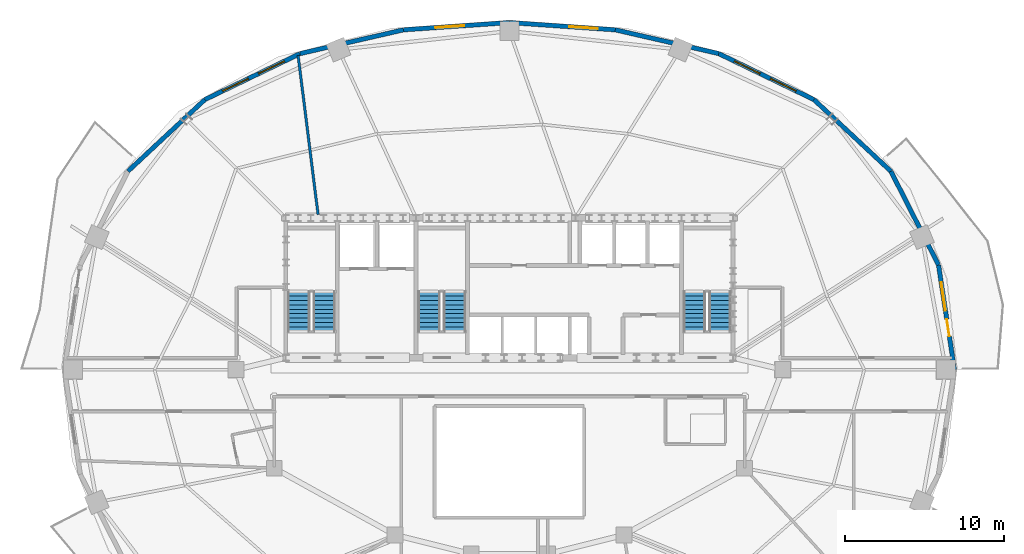
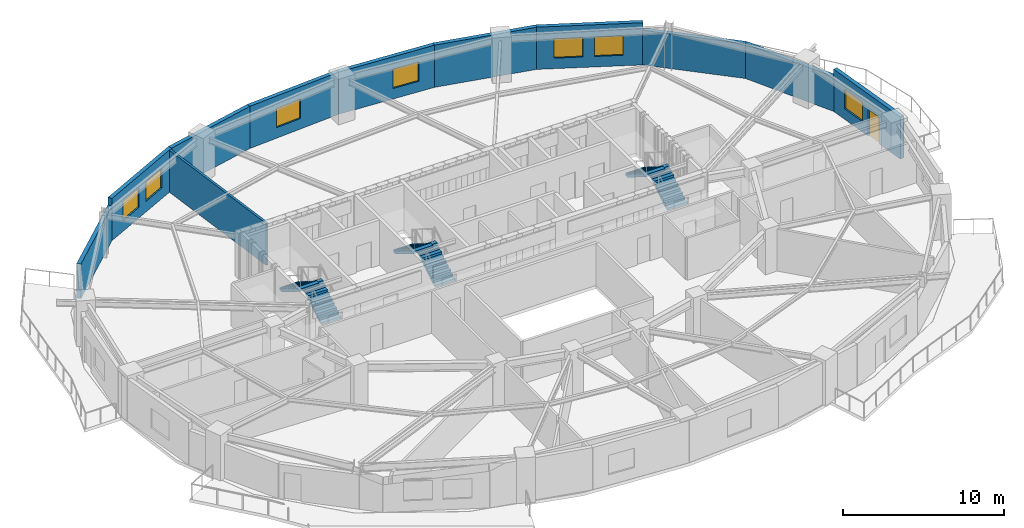
# One storey, part 6 of 11: 11 walls, 7 windows, 6 stair flights, 1 door, 8 openings, 3 elements without a shape of their own.
"""IFC4 building model written with IfcOpenShell, lengths in metres."""

from ifc_helpers import new_model, si_unit, direction, frame, frame_2d, origin, place, context, subcontext, project, spatial, polyline, rectangle, outline, extrude, material, layer, layer_set, type_object, element, fill, aggregate, save


model = new_model("IFC4")

# Units and contexts
model_context = context("Model", 3, precision=1e-05, world=origin(), true_north=direction((0.0, 1.0)))
body_context = subcontext(model_context, "Body", "Model", "MODEL_VIEW")
ifc_project = project(units=[si_unit("LENGTHUNIT", "METRE"), si_unit("AREAUNIT", "SQUARE_METRE"), si_unit("VOLUMEUNIT", "CUBIC_METRE"), si_unit("PLANEANGLEUNIT", "RADIAN"), si_unit("MASSUNIT", "GRAM", prefix="KILO")], contexts=[model_context])

# Site, building, storey
site_placement = place(None, origin())
site = spatial("IfcSite", under=ifc_project, at=site_placement, CompositionType="ELEMENT")
building_placement = place(site_placement, origin())
building = spatial("IfcBuilding", under=site, at=building_placement, Name="Haldorwick Loom Tower", CompositionType="ELEMENT")
storey_placement = place(building_placement, frame((0.0, 0.0, 204.85009765625)))
storey = spatial("IfcBuildingStorey", under=building, at=storey_placement, Name="L55", CompositionType="ELEMENT", Elevation=204.85009765625)

# Wall, openings, door, window
ifc_material_1 = material(Name="Pressed Clay Face Brick and Insulated Masonry Backup Assembly", Category="masonry")
ifc_layer_1 = layer(ifc_material_1, 0.280029296875, Name="Pressed Clay Face Brick and Insulated Masonry Backup Assembly", Category="masonry")
ifc_layer_set_1 = layer_set([ifc_layer_1], Name="Pressed Clay Face Brick and Insulated Masonry Backup Assembly")
wall_type_1 = type_object("IfcWallType", Name="ARC-WL-EXT280", PredefinedType="STANDARD", material=ifc_layer_set_1)
wall_1_placement = place(storey_placement, frame((64.00634765625, 26.0, 0.0), z_axis=(0.0, 0.0, 1.0), x_axis=(-0.150467697578, 0.988614926038, 0.0)))
wall_1 = element("IfcWall", 1, at=wall_1_placement, inside=storey, type_object=wall_type_1, Name="L55 Brick Pier and Spandrel Wall 1", PredefinedType="STANDARD", context=body_context, shape_type="SweptSolid", body=[
    extrude(rectangle(XDim=6.66064453125, YDim=0.280029296875, at=frame_2d((3.330322265625, 0.0))), origin(), (0.0, 0.0, 1.0), 3.2099609375),
])
opening_1_placement = place(wall_1_placement, frame((2.1328125, 0.0, 0.0)))
opening_1 = element("IfcOpeningElement", 2, at=opening_1_placement, cuts=wall_1, Name="Opening D-BL11", PredefinedType="OPENING", context=body_context, shape_type="SweptSolid", body=[
    extrude(rectangle(XDim=1.080078125, YDim=2.0400390625, at=frame_2d((0.5400390625, 1.02001953125))), frame((0.0, 0.14990234375, 0.0), z_axis=(0.0, -1.0, 0.0), x_axis=(1.0, 0.0, 0.0)), (0.0, 0.0, 1.0), 0.300048828125),
])
opening_2_placement = place(wall_1_placement, frame((3.762451171875, 0.0, 0.800048828125)))
opening_2 = element("IfcOpeningElement", 3, at=opening_2_placement, cuts=wall_1, Name="Opening W-01", PredefinedType="OPENING", context=body_context, shape_type="SweptSolid", body=[
    extrude(rectangle(XDim=1.800048828125, YDim=1.47998046875, at=frame_2d((0.89990234375, 0.739990234375))), frame((0.0, 0.14990234375, 0.0), z_axis=(0.0, -1.0, 0.0), x_axis=(1.0, 0.0, 0.0)), (0.0, 0.0, 1.0), 0.300048828125),
])
ifc_material_2 = material(Name="Thermally Broken Anodized Aluminium Curtain Wall Framing", Category="aluminium")
door_type = type_object("IfcDoorType", Name="ARC-DR-BAL110", OperationType="NOTDEFINED", PredefinedType="DOOR", material=ifc_material_2)
door_placement = place(opening_1_placement, origin())
door = element("IfcDoor", 4, at=door_placement, inside=storey, type_object=door_type, Name="L55 Outdoor Terrace Door SLB-L55-BAL_ENE", OperationType="SINGLE_SWING_RIGHT", OverallHeight=2.0400390625, OverallWidth=1.080078125, PredefinedType="DOOR", context=body_context, shape_type="SweptSolid", body=[
    extrude(rectangle(XDim=1.080078125, YDim=2.0400390625, at=frame_2d((0.5400390625, 1.02001953125))), frame((0.0, 0.02490234375, 0.0), z_axis=(0.0, -1.0, 0.0), x_axis=(1.0, 0.0, 0.0)), (0.0, 0.0, 1.0), 0.050048828125),
])
fill(opening_1, door)
ifc_material_3 = material(Name="Triple-Glazed Low-E Argon Insulated Glazing Unit", Category="glass")
window_type = type_object("IfcWindowType", Name="ARC-WIN-W180", PartitioningType="SINGLE_PANEL", PredefinedType="WINDOW", material=ifc_material_3)
window_1_placement = place(opening_2_placement, origin())
window_1 = element("IfcWindow", 5, at=window_1_placement, inside=storey, type_object=window_type, Name="L55 Deep-Set Zone 7A Window 1", OverallHeight=1.47998046875, OverallWidth=1.800048828125, PartitioningType="SINGLE_PANEL", PredefinedType="WINDOW", context=body_context, shape_type="SweptSolid", body=[
    extrude(rectangle(XDim=1.800048828125, YDim=1.47998046875, at=frame_2d((0.89990234375, 0.739990234375))), frame((0.0, 0.030029296875, 0.0), z_axis=(0.0, -1.0, 0.0), x_axis=(1.0, 0.0, 0.0)), (0.0, 0.0, 1.0), 0.06005859375),
])
fill(opening_2, window_1)

# Walls
wall_2_placement = place(storey_placement, frame((63.004150390625, 32.584716796875, 0.0), z_axis=(0.0, 0.0, 1.0), x_axis=(-0.453032066879, 0.89149422117, 0.0)))
element("IfcWall", 6, at=wall_2_placement, inside=storey, type_object=wall_type_1, Name="L55 Brick Pier and Spandrel Wall 2", PredefinedType="STANDARD", context=body_context, shape_type="SweptSolid", body=[
    extrude(rectangle(XDim=6.618896484375, YDim=0.280029296875, at=frame_2d((3.3095703125, 0.0))), origin(), (0.0, 0.0, 1.0), 2.640869140625),
])
wall_3_placement = place(storey_placement, frame((60.005615234375, 38.4853515625, 0.0), z_axis=(0.0, 0.0, 1.0), x_axis=(-0.731833707499, 0.681483253329, 0.0)))
element("IfcWall", 7, at=wall_3_placement, inside=storey, type_object=wall_type_1, Name="L55 Brick Pier and Spandrel Wall 3", PredefinedType="STANDARD", context=body_context, shape_type="SweptSolid", body=[
    extrude(rectangle(XDim=6.61865234375, YDim=0.280029296875, at=frame_2d((3.309326171875, 0.0))), origin(), (0.0, 0.0, 1.0), 2.640869140625),
])

# Wall, openings, windows
wall_4_placement = place(storey_placement, frame((55.161865234375, 42.995849609375, 0.0), z_axis=(0.0, 0.0, 1.0), x_axis=(-0.900371236029, 0.435122554381, 0.0)))
wall_4 = element("IfcWall", 8, at=wall_4_placement, inside=storey, type_object=wall_type_1, Name="L55 Brick Pier and Spandrel Wall 4", PredefinedType="STANDARD", context=body_context, shape_type="SweptSolid", body=[
    extrude(rectangle(XDim=6.6533203125, YDim=0.280029296875, at=frame_2d((3.32666015625, 0.0))), origin(), (0.0, 0.0, 1.0), 3.2099609375),
])
opening_3_placement = place(wall_4_placement, frame((1.234375, 0.0, 0.800048828125)))
opening_3 = element("IfcOpeningElement", 9, at=opening_3_placement, cuts=wall_4, Name="Opening W-01", PredefinedType="OPENING", context=body_context, shape_type="SweptSolid", body=[
    extrude(rectangle(XDim=1.800048828125, YDim=1.47998046875, at=frame_2d((0.89990234375, 0.739990234375))), frame((0.0, 0.14990234375, 0.0), z_axis=(0.0, -1.0, 0.0), x_axis=(1.0, 0.0, 0.0)), (0.0, 0.0, 1.0), 0.300048828125),
])
opening_4_placement = place(wall_4_placement, frame((3.75732421875, 0.0, 0.800048828125)))
opening_4 = element("IfcOpeningElement", 10, at=opening_4_placement, cuts=wall_4, Name="Opening W-01", PredefinedType="OPENING", context=body_context, shape_type="SweptSolid", body=[
    extrude(rectangle(XDim=1.800048828125, YDim=1.47998046875, at=frame_2d((0.89990234375, 0.739990234375))), frame((0.0, 0.14990234375, 0.0), z_axis=(0.0, -1.0, 0.0), x_axis=(1.0, 0.0, 0.0)), (0.0, 0.0, 1.0), 0.300048828125),
])
window_2_placement = place(opening_3_placement, origin())
window_2 = element("IfcWindow", 11, at=window_2_placement, inside=storey, type_object=window_type, Name="L55 Deep-Set Zone 7A Window 4", OverallHeight=1.47998046875, OverallWidth=1.800048828125, PartitioningType="SINGLE_PANEL", PredefinedType="WINDOW", context=body_context, shape_type="SweptSolid", body=[
    extrude(rectangle(XDim=1.800048828125, YDim=1.47998046875, at=frame_2d((0.89990234375, 0.739990234375))), frame((0.0, 0.030029296875, 0.0), z_axis=(0.0, -1.0, 0.0), x_axis=(1.0, 0.0, 0.0)), (0.0, 0.0, 1.0), 0.06005859375),
])
fill(opening_3, window_2)
window_3_placement = place(opening_4_placement, origin())
window_3 = element("IfcWindow", 12, at=window_3_placement, inside=storey, type_object=window_type, Name="L55 Deep-Set Zone 7A Window 4", OverallHeight=1.47998046875, OverallWidth=1.800048828125, PartitioningType="SINGLE_PANEL", PredefinedType="WINDOW", context=body_context, shape_type="SweptSolid", body=[
    extrude(rectangle(XDim=1.800048828125, YDim=1.47998046875, at=frame_2d((0.89990234375, 0.739990234375))), frame((0.0, 0.030029296875, 0.0), z_axis=(0.0, -1.0, 0.0), x_axis=(1.0, 0.0, 0.0)), (0.0, 0.0, 1.0), 0.06005859375),
])
fill(opening_4, window_3)

# Wall
wall_5_placement = place(storey_placement, frame((49.17138671875, 45.890869140625, 0.0), z_axis=(0.0, 0.0, 1.0), x_axis=(-0.974557343474, 0.224138315065, 0.0)))
element("IfcWall", 13, at=wall_5_placement, inside=storey, type_object=wall_type_1, Name="L55 Brick Pier and Spandrel Wall 5", PredefinedType="STANDARD", context=body_context, shape_type="SweptSolid", body=[
    extrude(rectangle(XDim=6.676025390625, YDim=0.280029296875, at=frame_2d((3.337890625, 0.0))), origin(), (0.0, 0.0, 1.0), 3.2099609375),
])

# Wall, opening, window
wall_6_placement = place(storey_placement, frame((42.665283203125, 47.38720703125, 0.0), z_axis=(0.0, 0.0, 1.0), x_axis=(-0.99764992135, 0.068517402386, 0.0)))
wall_6 = element("IfcWall", 14, at=wall_6_placement, inside=storey, type_object=wall_type_1, Name="L55 Brick Pier and Spandrel Wall 6", PredefinedType="STANDARD", context=body_context, shape_type="SweptSolid", body=[
    extrude(rectangle(XDim=6.680908203125, YDim=0.280029296875, at=frame_2d((3.34033203125, 0.0))), origin(), (0.0, 0.0, 1.0), 3.2099609375),
])
opening_5_placement = place(wall_6_placement, frame((1.104248046875, 0.0, 0.800048828125)))
opening_5 = element("IfcOpeningElement", 15, at=opening_5_placement, cuts=wall_6, Name="Opening W-01", PredefinedType="OPENING", context=body_context, shape_type="SweptSolid", body=[
    extrude(rectangle(XDim=1.800048828125, YDim=1.47998046875, at=frame_2d((0.89990234375, 0.739990234375))), frame((0.0, 0.14990234375, 0.0), z_axis=(0.0, -1.0, 0.0), x_axis=(1.0, 0.0, 0.0)), (0.0, 0.0, 1.0), 0.300048828125),
])
window_4_placement = place(opening_5_placement, origin())
window_4 = element("IfcWindow", 16, at=window_4_placement, inside=storey, type_object=window_type, Name="L55 Deep-Set Zone 7A Window 6", OverallHeight=1.47998046875, OverallWidth=1.800048828125, PartitioningType="SINGLE_PANEL", PredefinedType="WINDOW", context=body_context, shape_type="SweptSolid", body=[
    extrude(rectangle(XDim=1.800048828125, YDim=1.47998046875, at=frame_2d((0.89990234375, 0.739990234375))), frame((0.0, 0.030029296875, 0.0), z_axis=(0.0, -1.0, 0.0), x_axis=(1.0, 0.0, 0.0)), (0.0, 0.0, 1.0), 0.06005859375),
])
fill(opening_5, window_4)

wall_7_placement = place(storey_placement, frame((36.0, 47.844970703125, 0.0), z_axis=(0.0, 0.0, 1.0), x_axis=(-0.99764992135, -0.068517402386, 0.0)))
wall_7 = element("IfcWall", 17, at=wall_7_placement, inside=storey, type_object=wall_type_1, Name="L55 Brick Pier and Spandrel Wall 7", PredefinedType="STANDARD", context=body_context, shape_type="SweptSolid", body=[
    extrude(rectangle(XDim=6.680908203125, YDim=0.280029296875, at=frame_2d((3.34033203125, 0.0))), origin(), (0.0, 0.0, 1.0), 3.2099609375),
])
opening_6_placement = place(wall_7_placement, frame((2.860595703125, 0.0, 0.800048828125)))
opening_6 = element("IfcOpeningElement", 18, at=opening_6_placement, cuts=wall_7, Name="Opening W-01", PredefinedType="OPENING", context=body_context, shape_type="SweptSolid", body=[
    extrude(rectangle(XDim=1.800048828125, YDim=1.47998046875, at=frame_2d((0.89990234375, 0.739990234375))), frame((0.0, 0.14990234375, 0.0), z_axis=(0.0, -1.0, 0.0), x_axis=(1.0, 0.0, 0.0)), (0.0, 0.0, 1.0), 0.300048828125),
])
window_5_placement = place(opening_6_placement, origin())
window_5 = element("IfcWindow", 19, at=window_5_placement, inside=storey, type_object=window_type, Name="L55 Deep-Set Zone 7A Window 7", OverallHeight=1.47998046875, OverallWidth=1.800048828125, PartitioningType="SINGLE_PANEL", PredefinedType="WINDOW", context=body_context, shape_type="SweptSolid", body=[
    extrude(rectangle(XDim=1.800048828125, YDim=1.47998046875, at=frame_2d((0.89990234375, 0.739990234375))), frame((0.0, 0.030029296875, 0.0), z_axis=(0.0, -1.0, 0.0), x_axis=(1.0, 0.0, 0.0)), (0.0, 0.0, 1.0), 0.06005859375),
])
fill(opening_6, window_5)

# Wall
wall_8_placement = place(storey_placement, frame((29.334716796875, 47.38720703125, 0.0), z_axis=(0.0, 0.0, 1.0), x_axis=(-0.974557343474, -0.224138315065, 0.0)))
element("IfcWall", 20, at=wall_8_placement, inside=storey, type_object=wall_type_1, Name="L55 Brick Pier and Spandrel Wall 8", PredefinedType="STANDARD", context=body_context, shape_type="SweptSolid", body=[
    extrude(rectangle(XDim=6.676025390625, YDim=0.280029296875, at=frame_2d((3.337890625, 0.0))), origin(), (0.0, 0.0, 1.0), 3.2099609375),
])

# Wall, openings, windows
wall_9_placement = place(storey_placement, frame((22.82861328125, 45.890869140625, 0.0), z_axis=(0.0, 0.0, 1.0), x_axis=(-0.900371236029, -0.435122554381, 0.0)))
wall_9 = element("IfcWall", 21, at=wall_9_placement, inside=storey, type_object=wall_type_1, Name="L55 Brick Pier and Spandrel Wall 9", PredefinedType="STANDARD", context=body_context, shape_type="SweptSolid", body=[
    extrude(rectangle(XDim=6.6533203125, YDim=0.280029296875, at=frame_2d((3.32666015625, 0.0))), origin(), (0.0, 0.0, 1.0), 3.2099609375),
])
opening_7_placement = place(wall_9_placement, frame((1.095947265625, 0.0, 0.800048828125)))
opening_7 = element("IfcOpeningElement", 22, at=opening_7_placement, cuts=wall_9, Name="Opening W-01", PredefinedType="OPENING", context=body_context, shape_type="SweptSolid", body=[
    extrude(rectangle(XDim=1.800048828125, YDim=1.47998046875, at=frame_2d((0.89990234375, 0.739990234375))), frame((0.0, 0.14990234375, 0.0), z_axis=(0.0, -1.0, 0.0), x_axis=(1.0, 0.0, 0.0)), (0.0, 0.0, 1.0), 0.300048828125),
])
opening_8_placement = place(wall_9_placement, frame((3.618896484375, 0.0, 0.800048828125)))
opening_8 = element("IfcOpeningElement", 23, at=opening_8_placement, cuts=wall_9, Name="Opening W-01", PredefinedType="OPENING", context=body_context, shape_type="SweptSolid", body=[
    extrude(rectangle(XDim=1.800048828125, YDim=1.47998046875, at=frame_2d((0.89990234375, 0.739990234375))), frame((0.0, 0.14990234375, 0.0), z_axis=(0.0, -1.0, 0.0), x_axis=(1.0, 0.0, 0.0)), (0.0, 0.0, 1.0), 0.300048828125),
])
window_6_placement = place(opening_7_placement, origin())
window_6 = element("IfcWindow", 24, at=window_6_placement, inside=storey, type_object=window_type, Name="L55 Deep-Set Zone 7A Window 9", OverallHeight=1.47998046875, OverallWidth=1.800048828125, PartitioningType="SINGLE_PANEL", PredefinedType="WINDOW", context=body_context, shape_type="SweptSolid", body=[
    extrude(rectangle(XDim=1.800048828125, YDim=1.47998046875, at=frame_2d((0.89990234375, 0.739990234375))), frame((0.0, 0.030029296875, 0.0), z_axis=(0.0, -1.0, 0.0), x_axis=(1.0, 0.0, 0.0)), (0.0, 0.0, 1.0), 0.06005859375),
])
fill(opening_7, window_6)
window_7_placement = place(opening_8_placement, origin())
window_7 = element("IfcWindow", 25, at=window_7_placement, inside=storey, type_object=window_type, Name="L55 Deep-Set Zone 7A Window 9", OverallHeight=1.47998046875, OverallWidth=1.800048828125, PartitioningType="SINGLE_PANEL", PredefinedType="WINDOW", context=body_context, shape_type="SweptSolid", body=[
    extrude(rectangle(XDim=1.800048828125, YDim=1.47998046875, at=frame_2d((0.89990234375, 0.739990234375))), frame((0.0, 0.030029296875, 0.0), z_axis=(0.0, -1.0, 0.0), x_axis=(1.0, 0.0, 0.0)), (0.0, 0.0, 1.0), 0.06005859375),
])
fill(opening_8, window_7)

# Walls
wall_10_placement = place(storey_placement, frame((16.838134765625, 42.995849609375, 0.0), z_axis=(0.0, 0.0, 1.0), x_axis=(-0.731833707499, -0.681483253329, 0.0)))
element("IfcWall", 26, at=wall_10_placement, inside=storey, type_object=wall_type_1, Name="L55 Brick Pier and Spandrel Wall 10", PredefinedType="STANDARD", context=body_context, shape_type="SweptSolid", body=[
    extrude(rectangle(XDim=6.61865234375, YDim=0.280029296875, at=frame_2d((3.309326171875, 0.0))), origin(), (0.0, 0.0, 1.0), 2.640869140625),
])
ifc_material_4 = material(Name="Fire-Rated Type X Gypsum Stud Assembly EI 60")
ifc_layer_2 = layer(ifc_material_4, 0.159912109375, Name="Fire-Rated Type X Gypsum Stud Assembly EI 60")
ifc_layer_set_2 = layer_set([ifc_layer_2], Name="Fire-Rated Type X Gypsum Stud Assembly EI 60")
wall_type_2 = type_object("IfcWallType", Name="ARC-WL-FIRE160", PredefinedType="PARTITIONING", material=ifc_layer_set_2)
wall_11_placement = place(storey_placement, frame((23.9619140625, 35.7529296875, 0.0), z_axis=(0.0, 0.0, 1.0), x_axis=(-0.124584783338, 0.992208965773, 0.0)))
element("IfcWall", 27, at=wall_11_placement, inside=storey, type_object=wall_type_2, Name="L55 Residential Fire Partition L55-UPN-C3", PredefinedType="PARTITIONING", context=body_context, shape_type="SweptSolid", body=[
    extrude(rectangle(XDim=10.105712890625, YDim=0.159912109375, at=frame_2d((5.052734375, 0.0))), origin(), (0.0, 0.0, 1.0), 3.19482421875),
])

# Stair, stair flights
ifc_material_5 = material(Name="Concrete C40 (40 MPa)", Category="concrete")
stair_type = type_object("IfcStairType", Name="STR-STR-CORE", PredefinedType="HALF_TURN_STAIR", material=ifc_material_5)
stair_1_placement = place(storey_placement, origin())
stair_1 = element("IfcStair", 28, at=stair_1_placement, inside=storey, type_object=stair_type, Name="L55 Exit Stair ST-01", PredefinedType="HALF_TURN_STAIR")
stair_flight_type = type_object("IfcStairFlightType", Name="STR-STF-1250", PredefinedType="STRAIGHT", material=ifc_material_5)
stair_flight_1_placement = place(storey_placement, frame((24.35009765625, 28.39990234375, 0.0), z_axis=(0.0, 0.0, 1.0), x_axis=(0.0, 1.0, 0.0)))
stair_flight_1 = element("IfcStairFlight", 29, at=stair_flight_1_placement, type_object=stair_flight_type, Name="ST-01 flight 1", NumberOfRisers=10, NumberOfTreads=9, PredefinedType="STRAIGHT", RiserHeight=0.1725, TreadLength=0.28, context=body_context, shape_type="SweptSolid", body=[
    extrude(outline(polyline([(0.0, 0.0), (0.0, 0.172607421875), (0.280029296875, 0.172607421875), (0.280029296875, 0.344970703125), (0.56005859375, 0.344970703125), (0.56005859375, 0.517578125), (0.840087890625, 0.517578125), (0.840087890625, 0.68994140625), (1.1201171875, 0.68994140625), (1.1201171875, 0.862548828125), (1.39990234375, 0.862548828125), (1.39990234375, 1.034912109375), (1.679931640625, 1.034912109375), (1.679931640625, 1.20751953125), (1.9599609375, 1.20751953125), (1.9599609375, 1.3798828125), (2.239990234375, 1.3798828125), (2.239990234375, 1.552490234375), (2.52001953125, 1.552490234375), (2.52001953125, 1.72509765625), (2.52001953125, 1.37646484375), (0.285888671875, 0.0), (0.0, 0.0)])), frame((0.0, 0.699951171875, 0.0), z_axis=(0.0, -1.0, 0.0), x_axis=(1.0, 0.0, 0.0)), (0.0, 0.0, 1.0), 1.39990234375),
])
stair_flight_2_placement = place(storey_placement, frame((22.75, 30.919921875, 1.724853515625), z_axis=(0.0, 0.0, 1.0), x_axis=(0.0, -1.0, 0.0)))
stair_flight_2 = element("IfcStairFlight", 30, at=stair_flight_2_placement, type_object=stair_flight_type, Name="ST-01 flight 2", NumberOfRisers=10, NumberOfTreads=9, PredefinedType="STRAIGHT", RiserHeight=0.1725, TreadLength=0.28, context=body_context, shape_type="SweptSolid", body=[
    extrude(outline(polyline([(0.0, 0.0), (0.0, 0.172607421875), (0.280029296875, 0.172607421875), (0.280029296875, 0.344970703125), (0.56005859375, 0.344970703125), (0.56005859375, 0.517578125), (0.840087890625, 0.517578125), (0.840087890625, 0.68994140625), (1.1201171875, 0.68994140625), (1.1201171875, 0.862548828125), (1.39990234375, 0.862548828125), (1.39990234375, 1.034912109375), (1.679931640625, 1.034912109375), (1.679931640625, 1.20751953125), (1.9599609375, 1.20751953125), (1.9599609375, 1.3798828125), (2.239990234375, 1.3798828125), (2.239990234375, 1.552490234375), (2.52001953125, 1.552490234375), (2.52001953125, 1.72509765625), (2.52001953125, 1.37646484375), (0.285888671875, 0.0), (0.0, 0.0)])), frame((0.0, 0.699951171875, 0.0), z_axis=(0.0, -1.0, 0.0), x_axis=(1.0, 0.0, 0.0)), (0.0, 0.0, 1.0), 1.39990234375),
])
aggregate(stair_1, [stair_flight_1, stair_flight_2])

stair_2_placement = place(storey_placement, origin())
stair_2 = element("IfcStair", 31, at=stair_2_placement, inside=storey, type_object=stair_type, Name="L55 Exit Stair ST-02", PredefinedType="HALF_TURN_STAIR")
stair_flight_3_placement = place(storey_placement, frame((49.25, 28.39990234375, 0.0), z_axis=(0.0, 0.0, 1.0), x_axis=(0.0, 1.0, 0.0)))
stair_flight_3 = element("IfcStairFlight", 32, at=stair_flight_3_placement, type_object=stair_flight_type, Name="ST-02 flight 1", NumberOfRisers=10, NumberOfTreads=9, PredefinedType="STRAIGHT", RiserHeight=0.1725, TreadLength=0.28, context=body_context, shape_type="SweptSolid", body=[
    extrude(outline(polyline([(0.0, 0.0), (0.0, 0.172607421875), (0.280029296875, 0.172607421875), (0.280029296875, 0.344970703125), (0.56005859375, 0.344970703125), (0.56005859375, 0.517578125), (0.840087890625, 0.517578125), (0.840087890625, 0.68994140625), (1.1201171875, 0.68994140625), (1.1201171875, 0.862548828125), (1.39990234375, 0.862548828125), (1.39990234375, 1.034912109375), (1.679931640625, 1.034912109375), (1.679931640625, 1.20751953125), (1.9599609375, 1.20751953125), (1.9599609375, 1.3798828125), (2.239990234375, 1.3798828125), (2.239990234375, 1.552490234375), (2.52001953125, 1.552490234375), (2.52001953125, 1.72509765625), (2.52001953125, 1.37646484375), (0.285888671875, 0.0), (0.0, 0.0)])), frame((0.0, 0.699951171875, 0.0), z_axis=(0.0, -1.0, 0.0), x_axis=(1.0, 0.0, 0.0)), (0.0, 0.0, 1.0), 1.39990234375),
])
stair_flight_4_placement = place(storey_placement, frame((47.64990234375, 30.919921875, 1.724853515625), z_axis=(0.0, 0.0, 1.0), x_axis=(0.0, -1.0, 0.0)))
stair_flight_4 = element("IfcStairFlight", 33, at=stair_flight_4_placement, type_object=stair_flight_type, Name="ST-02 flight 2", NumberOfRisers=10, NumberOfTreads=9, PredefinedType="STRAIGHT", RiserHeight=0.1725, TreadLength=0.28, context=body_context, shape_type="SweptSolid", body=[
    extrude(outline(polyline([(0.0, 0.0), (0.0, 0.172607421875), (0.280029296875, 0.172607421875), (0.280029296875, 0.344970703125), (0.56005859375, 0.344970703125), (0.56005859375, 0.517578125), (0.840087890625, 0.517578125), (0.840087890625, 0.68994140625), (1.1201171875, 0.68994140625), (1.1201171875, 0.862548828125), (1.39990234375, 0.862548828125), (1.39990234375, 1.034912109375), (1.679931640625, 1.034912109375), (1.679931640625, 1.20751953125), (1.9599609375, 1.20751953125), (1.9599609375, 1.3798828125), (2.239990234375, 1.3798828125), (2.239990234375, 1.552490234375), (2.52001953125, 1.552490234375), (2.52001953125, 1.72509765625), (2.52001953125, 1.37646484375), (0.285888671875, 0.0), (0.0, 0.0)])), frame((0.0, 0.699951171875, 0.0), z_axis=(0.0, -1.0, 0.0), x_axis=(1.0, 0.0, 0.0)), (0.0, 0.0, 1.0), 1.39990234375),
])
aggregate(stair_2, [stair_flight_3, stair_flight_4])

stair_3_placement = place(storey_placement, origin())
stair_3 = element("IfcStair", 34, at=stair_3_placement, inside=storey, type_object=stair_type, Name="L55 Exit Stair ST-03", PredefinedType="HALF_TURN_STAIR")
stair_flight_5_placement = place(storey_placement, frame((32.550048828125, 28.39990234375, 0.0), z_axis=(0.0, 0.0, 1.0), x_axis=(0.0, 1.0, 0.0)))
stair_flight_5 = element("IfcStairFlight", 35, at=stair_flight_5_placement, type_object=stair_flight_type, Name="ST-03 flight 1", NumberOfRisers=10, NumberOfTreads=9, PredefinedType="STRAIGHT", RiserHeight=0.1725, TreadLength=0.28, context=body_context, shape_type="SweptSolid", body=[
    extrude(outline(polyline([(0.0, 0.0), (0.0, 0.172607421875), (0.280029296875, 0.172607421875), (0.280029296875, 0.344970703125), (0.56005859375, 0.344970703125), (0.56005859375, 0.517578125), (0.840087890625, 0.517578125), (0.840087890625, 0.68994140625), (1.1201171875, 0.68994140625), (1.1201171875, 0.862548828125), (1.39990234375, 0.862548828125), (1.39990234375, 1.034912109375), (1.679931640625, 1.034912109375), (1.679931640625, 1.20751953125), (1.9599609375, 1.20751953125), (1.9599609375, 1.3798828125), (2.239990234375, 1.3798828125), (2.239990234375, 1.552490234375), (2.52001953125, 1.552490234375), (2.52001953125, 1.72509765625), (2.52001953125, 1.37646484375), (0.285888671875, 0.0), (0.0, 0.0)])), frame((0.0, 0.699951171875, 0.0), z_axis=(0.0, -1.0, 0.0), x_axis=(1.0, 0.0, 0.0)), (0.0, 0.0, 1.0), 1.39990234375),
])
stair_flight_6_placement = place(storey_placement, frame((30.949951171875, 30.919921875, 1.724853515625), z_axis=(0.0, 0.0, 1.0), x_axis=(0.0, -1.0, 0.0)))
stair_flight_6 = element("IfcStairFlight", 36, at=stair_flight_6_placement, type_object=stair_flight_type, Name="ST-03 flight 2", NumberOfRisers=10, NumberOfTreads=9, PredefinedType="STRAIGHT", RiserHeight=0.1725, TreadLength=0.28, context=body_context, shape_type="SweptSolid", body=[
    extrude(outline(polyline([(0.0, 0.0), (0.0, 0.172607421875), (0.280029296875, 0.172607421875), (0.280029296875, 0.344970703125), (0.56005859375, 0.344970703125), (0.56005859375, 0.517578125), (0.840087890625, 0.517578125), (0.840087890625, 0.68994140625), (1.1201171875, 0.68994140625), (1.1201171875, 0.862548828125), (1.39990234375, 0.862548828125), (1.39990234375, 1.034912109375), (1.679931640625, 1.034912109375), (1.679931640625, 1.20751953125), (1.9599609375, 1.20751953125), (1.9599609375, 1.3798828125), (2.239990234375, 1.3798828125), (2.239990234375, 1.552490234375), (2.52001953125, 1.552490234375), (2.52001953125, 1.72509765625), (2.52001953125, 1.37646484375), (0.285888671875, 0.0), (0.0, 0.0)])), frame((0.0, 0.699951171875, 0.0), z_axis=(0.0, -1.0, 0.0), x_axis=(1.0, 0.0, 0.0)), (0.0, 0.0, 1.0), 1.39990234375),
])
aggregate(stair_3, [stair_flight_5, stair_flight_6])

save(model, "model.ifc")
